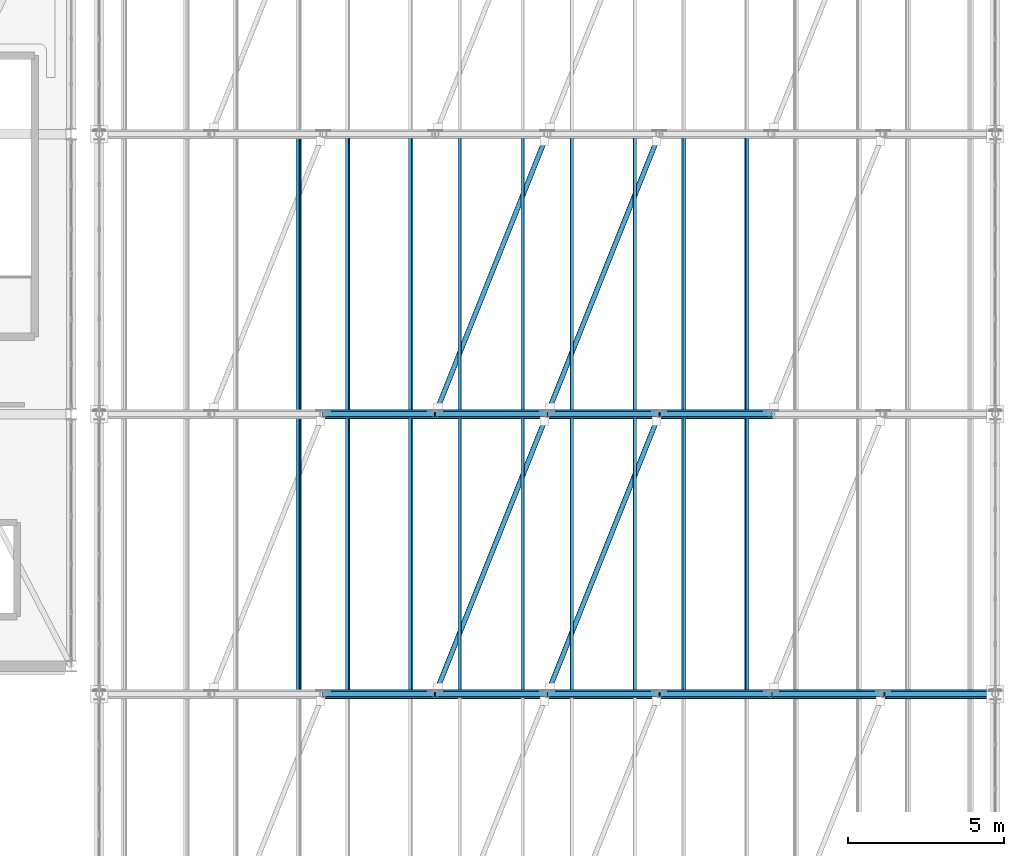
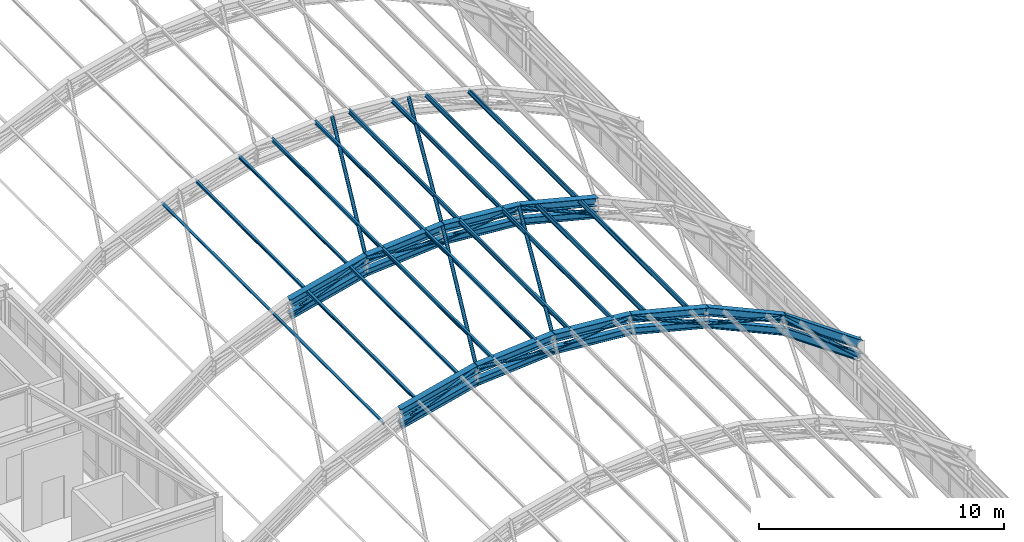
# One storey, part 59 of 121: 42 members, 10 beams.
"""IFC4 building model written with IfcOpenShell, lengths in metres."""

from ifc_helpers import new_model, si_unit, direction, frame, origin, origin_2d, place, context, subcontext, project, spatial, hollow_circle, i_section, extrude, material, material_profile, profile_set, type_object, element, save


model = new_model("IFC4")

# Units and contexts
model_context = context("Model", 3, precision=1e-05, world=origin(), true_north=direction((0.0, 1.0)))
body_context = subcontext(model_context, "Body", "Model", "MODEL_VIEW")
ifc_project = project(units=[si_unit("LENGTHUNIT", "METRE"), si_unit("AREAUNIT", "SQUARE_METRE"), si_unit("VOLUMEUNIT", "CUBIC_METRE"), si_unit("PLANEANGLEUNIT", "RADIAN"), si_unit("MASSUNIT", "GRAM", prefix="KILO")], contexts=[model_context])

# Site, building, storey
site_placement = place(None, origin())
site = spatial("IfcSite", under=ifc_project, at=site_placement, CompositionType="ELEMENT")
building_placement = place(site_placement, origin())
building = spatial("IfcBuilding", under=site, at=building_placement, Name="Canglan Escarpment Cableway Terminal", CompositionType="ELEMENT")
storey_placement = place(building_placement, frame((0.0, 0.0, 24.60009765625)))
storey = spatial("IfcBuildingStorey", under=building, at=storey_placement, Name="L05", CompositionType="ELEMENT", Elevation=24.60009765625)

# Beams
ifc_material = material(Name="Steel Q355B", Category="steel")
ifc_material_profile_1 = material_profile(ifc_material, i_section(OverallWidth=0.300048828125, OverallDepth=0.389892578125, WebThickness=0.010009765625, FlangeThickness=0.01611328125, FilletRadius=0.02197265625, at=origin_2d()), Name="HM 390x300x10x16")
ifc_profile_set_1 = profile_set([ifc_material_profile_1], Name="Steel Q355B")
beam_type = type_object("IfcBeamType", Name="BM-ARCH-TOP-HM390", PredefinedType="BEAM", material=ifc_profile_set_1)
beam_1_placement = place(storey_placement, frame((144.800048828125, 88.0, 7.23828125), z_axis=(0.969179969731, 0.0, 0.246353782743), x_axis=(0.0, 1.0, 0.0)))
element("IfcBeam", 1, at=beam_1_placement, inside=storey, type_object=beam_type, Name="Vault ROOF TRUSS arch top chord AR-TC1", PredefinedType="BEAM", context=body_context, shape_type="SweptSolid", body=[
    extrude(i_section(OverallWidth=0.300048828125, OverallDepth=0.389892578125, WebThickness=0.010009765625, FlangeThickness=0.01611328125, FilletRadius=0.02197265625, at=origin_2d()), origin(), (0.0, 0.0, 1.0), 3.71435546875),
])
for number, where, z_axis, x_axis, name in (
    (2, (148.39990234375, 88.0, 8.1533203125), (0.996622699984, 0.0, 0.082116952426), (0.0, 1.0, 0.0), "Vault ROOF TRUSS arch top chord AR-TC1"),
    (3, (152.0, 88.0, 8.449951171875), (0.996622699984, 0.0, -0.082116952426), (0.0, 1.0, 0.0), "Vault ROOF TRUSS arch top chord AR-TC1"),
):
    element("IfcBeam", number, at=place(storey_placement, frame(where, z_axis=z_axis, x_axis=x_axis)), inside=storey, type_object=beam_type, Name=name, PredefinedType="BEAM", context=body_context, shape_type="SweptSolid", body=[
        extrude(i_section(OverallWidth=0.300048828125, OverallDepth=0.389892578125, WebThickness=0.010009765625, FlangeThickness=0.01611328125, FilletRadius=0.02197265625, at=origin_2d()), origin(), (0.0, 0.0, 1.0), 3.6123046875),
    ])
beam_2_placement = place(storey_placement, frame((155.60009765625, 88.0, 8.1533203125), z_axis=(0.969179969731, 0.0, -0.246353782743), x_axis=(0.0, 1.0, 0.0)))
element("IfcBeam", 4, at=beam_2_placement, inside=storey, type_object=beam_type, Name="Vault ROOF TRUSS arch top chord AR-TC1", PredefinedType="BEAM", context=body_context, shape_type="SweptSolid", body=[
    extrude(i_section(OverallWidth=0.300048828125, OverallDepth=0.389892578125, WebThickness=0.010009765625, FlangeThickness=0.01611328125, FilletRadius=0.02197265625, at=origin_2d()), origin(), (0.0, 0.0, 1.0), 3.71435546875),
])
beam_3_placement = place(storey_placement, frame((159.199951171875, 88.0, 7.23828125), z_axis=(0.911752518833, 0.0, -0.410739996108), x_axis=(0.0, 1.0, 0.0)))
element("IfcBeam", 5, at=beam_3_placement, inside=storey, type_object=beam_type, Name="Vault ROOF TRUSS arch top chord AR-TC1", PredefinedType="BEAM", context=body_context, shape_type="SweptSolid", body=[
    extrude(i_section(OverallWidth=0.300048828125, OverallDepth=0.389892578125, WebThickness=0.010009765625, FlangeThickness=0.01611328125, FilletRadius=0.02197265625, at=origin_2d()), origin(), (0.0, 0.0, 1.0), 3.948486328125),
])
beam_4_placement = place(storey_placement, frame((162.800048828125, 88.0, 5.616455078125), z_axis=(0.817731009495, 0.0, -0.575600552563), x_axis=(0.0, 1.0, 0.0)))
element("IfcBeam", 6, at=beam_4_placement, inside=storey, type_object=beam_type, Name="Vault ROOF TRUSS arch top chord AR-TC1", PredefinedType="BEAM", context=body_context, shape_type="SweptSolid", body=[
    extrude(i_section(OverallWidth=0.300048828125, OverallDepth=0.389892578125, WebThickness=0.010009765625, FlangeThickness=0.01611328125, FilletRadius=0.02197265625, at=origin_2d()), origin(), (0.0, 0.0, 1.0), 4.40234375),
])
beam_5_placement = place(storey_placement, frame((144.800048828125, 97.0, 7.23828125), z_axis=(0.969179969731, 0.0, 0.246353782743), x_axis=(0.0, 1.0, 0.0)))
element("IfcBeam", 7, at=beam_5_placement, inside=storey, type_object=beam_type, Name="Vault ROOF TRUSS arch top chord AR-TC1", PredefinedType="BEAM", context=body_context, shape_type="SweptSolid", body=[
    extrude(i_section(OverallWidth=0.300048828125, OverallDepth=0.389892578125, WebThickness=0.010009765625, FlangeThickness=0.01611328125, FilletRadius=0.02197265625, at=origin_2d()), origin(), (0.0, 0.0, 1.0), 3.71435546875),
])
for number, where, z_axis, x_axis, name in (
    (8, (148.39990234375, 97.0, 8.1533203125), (0.996622699984, 0.0, 0.082116952426), (0.0, 1.0, 0.0), "Vault ROOF TRUSS arch top chord AR-TC1"),
    (9, (152.0, 97.0, 8.449951171875), (0.996622699984, 0.0, -0.082116952426), (0.0, 1.0, 0.0), "Vault ROOF TRUSS arch top chord AR-TC1"),
):
    element("IfcBeam", number, at=place(storey_placement, frame(where, z_axis=z_axis, x_axis=x_axis)), inside=storey, type_object=beam_type, Name=name, PredefinedType="BEAM", context=body_context, shape_type="SweptSolid", body=[
        extrude(i_section(OverallWidth=0.300048828125, OverallDepth=0.389892578125, WebThickness=0.010009765625, FlangeThickness=0.01611328125, FilletRadius=0.02197265625, at=origin_2d()), origin(), (0.0, 0.0, 1.0), 3.6123046875),
    ])
beam_6_placement = place(storey_placement, frame((155.60009765625, 97.0, 8.1533203125), z_axis=(0.969179969731, 0.0, -0.246353782743), x_axis=(0.0, 1.0, 0.0)))
element("IfcBeam", 10, at=beam_6_placement, inside=storey, type_object=beam_type, Name="Vault ROOF TRUSS arch top chord AR-TC1", PredefinedType="BEAM", context=body_context, shape_type="SweptSolid", body=[
    extrude(i_section(OverallWidth=0.300048828125, OverallDepth=0.389892578125, WebThickness=0.010009765625, FlangeThickness=0.01611328125, FilletRadius=0.02197265625, at=origin_2d()), origin(), (0.0, 0.0, 1.0), 3.71435546875),
])

# Members
ifc_material_profile_2 = material_profile(ifc_material, i_section(OverallWidth=0.25, OverallDepth=0.340087890625, WebThickness=0.009033203125, FlangeThickness=0.013916015625, FilletRadius=0.02001953125, at=origin_2d()), Name="HM 340x250x9x14")
ifc_profile_set_2 = profile_set([ifc_material_profile_2], Name="Steel Q355B")
member_type_1 = type_object("IfcMemberType", Name="MB-ARCH-BOT-HM340", PredefinedType="CHORD", material=ifc_profile_set_2)
member_1_placement = place(storey_placement, frame((144.800048828125, 88.0, 6.58837890625), z_axis=(0.969179969731, 0.0, 0.246353782743), x_axis=(0.0, 1.0, 0.0)))
element("IfcMember", 11, at=member_1_placement, inside=storey, type_object=member_type_1, Name="Vault ROOF TRUSS arch bottom chord AR-BC1", PredefinedType="CHORD", context=body_context, shape_type="SweptSolid", body=[
    extrude(i_section(OverallWidth=0.25, OverallDepth=0.340087890625, WebThickness=0.009033203125, FlangeThickness=0.013916015625, FilletRadius=0.02001953125, at=origin_2d()), origin(), (0.0, 0.0, 1.0), 3.71435546875),
])
for number, where, z_axis, x_axis, name in (
    (12, (148.39990234375, 88.0, 7.50341796875), (0.996628228964, 0.0, 0.082049821644), (0.0, 1.0, 0.0), "Vault ROOF TRUSS arch bottom chord AR-BC1"),
    (13, (152.0, 88.0, 7.7998046875), (0.996628228964, 0.0, -0.082049821644), (0.0, 1.0, 0.0), "Vault ROOF TRUSS arch bottom chord AR-BC1"),
):
    element("IfcMember", number, at=place(storey_placement, frame(where, z_axis=z_axis, x_axis=x_axis)), inside=storey, type_object=member_type_1, Name=name, PredefinedType="CHORD", context=body_context, shape_type="SweptSolid", body=[
        extrude(i_section(OverallWidth=0.25, OverallDepth=0.340087890625, WebThickness=0.009033203125, FlangeThickness=0.013916015625, FilletRadius=0.02001953125, at=origin_2d()), origin(), (0.0, 0.0, 1.0), 3.6123046875),
    ])
member_2_placement = place(storey_placement, frame((155.60009765625, 88.0, 7.50341796875), z_axis=(0.969179969731, 0.0, -0.246353782743), x_axis=(0.0, 1.0, 0.0)))
element("IfcMember", 14, at=member_2_placement, inside=storey, type_object=member_type_1, Name="Vault ROOF TRUSS arch bottom chord AR-BC1", PredefinedType="CHORD", context=body_context, shape_type="SweptSolid", body=[
    extrude(i_section(OverallWidth=0.25, OverallDepth=0.340087890625, WebThickness=0.009033203125, FlangeThickness=0.013916015625, FilletRadius=0.02001953125, at=origin_2d()), origin(), (0.0, 0.0, 1.0), 3.71435546875),
])
member_3_placement = place(storey_placement, frame((159.199951171875, 88.0, 6.58837890625), z_axis=(0.911752518833, 0.0, -0.410739996108), x_axis=(0.0, 1.0, 0.0)))
element("IfcMember", 15, at=member_3_placement, inside=storey, type_object=member_type_1, Name="Vault ROOF TRUSS arch bottom chord AR-BC1", PredefinedType="CHORD", context=body_context, shape_type="SweptSolid", body=[
    extrude(i_section(OverallWidth=0.25, OverallDepth=0.340087890625, WebThickness=0.009033203125, FlangeThickness=0.013916015625, FilletRadius=0.02001953125, at=origin_2d()), origin(), (0.0, 0.0, 1.0), 3.948486328125),
])
member_4_placement = place(storey_placement, frame((162.800048828125, 88.0, 4.966552734375), z_axis=(0.81770490607, 0.0, -0.575637634792), x_axis=(0.0, 1.0, 0.0)))
element("IfcMember", 16, at=member_4_placement, inside=storey, type_object=member_type_1, Name="Vault ROOF TRUSS arch bottom chord AR-BC1", PredefinedType="CHORD", context=body_context, shape_type="SweptSolid", body=[
    extrude(i_section(OverallWidth=0.25, OverallDepth=0.340087890625, WebThickness=0.009033203125, FlangeThickness=0.013916015625, FilletRadius=0.02001953125, at=origin_2d()), origin(), (0.0, 0.0, 1.0), 4.40234375),
])
member_5_placement = place(storey_placement, frame((144.800048828125, 97.0, 6.58837890625), z_axis=(0.969179969731, 0.0, 0.246353782743), x_axis=(0.0, 1.0, 0.0)))
element("IfcMember", 17, at=member_5_placement, inside=storey, type_object=member_type_1, Name="Vault ROOF TRUSS arch bottom chord AR-BC1", PredefinedType="CHORD", context=body_context, shape_type="SweptSolid", body=[
    extrude(i_section(OverallWidth=0.25, OverallDepth=0.340087890625, WebThickness=0.009033203125, FlangeThickness=0.013916015625, FilletRadius=0.02001953125, at=origin_2d()), origin(), (0.0, 0.0, 1.0), 3.71435546875),
])
for number, where, z_axis, x_axis, name in (
    (18, (148.39990234375, 97.0, 7.50341796875), (0.996628228964, 0.0, 0.082049821644), (0.0, 1.0, 0.0), "Vault ROOF TRUSS arch bottom chord AR-BC1"),
    (19, (152.0, 97.0, 7.7998046875), (0.996628228964, 0.0, -0.082049821644), (0.0, 1.0, 0.0), "Vault ROOF TRUSS arch bottom chord AR-BC1"),
):
    element("IfcMember", number, at=place(storey_placement, frame(where, z_axis=z_axis, x_axis=x_axis)), inside=storey, type_object=member_type_1, Name=name, PredefinedType="CHORD", context=body_context, shape_type="SweptSolid", body=[
        extrude(i_section(OverallWidth=0.25, OverallDepth=0.340087890625, WebThickness=0.009033203125, FlangeThickness=0.013916015625, FilletRadius=0.02001953125, at=origin_2d()), origin(), (0.0, 0.0, 1.0), 3.6123046875),
    ])
member_6_placement = place(storey_placement, frame((155.60009765625, 97.0, 7.50341796875), z_axis=(0.969179969731, 0.0, -0.246353782743), x_axis=(0.0, 1.0, 0.0)))
element("IfcMember", 20, at=member_6_placement, inside=storey, type_object=member_type_1, Name="Vault ROOF TRUSS arch bottom chord AR-BC1", PredefinedType="CHORD", context=body_context, shape_type="SweptSolid", body=[
    extrude(i_section(OverallWidth=0.25, OverallDepth=0.340087890625, WebThickness=0.009033203125, FlangeThickness=0.013916015625, FilletRadius=0.02001953125, at=origin_2d()), origin(), (0.0, 0.0, 1.0), 3.71435546875),
])
ifc_material_profile_3 = material_profile(ifc_material, hollow_circle(Radius=0.084228515625, WallThickness=0.006103515625, at=origin_2d()), Name="CHS 168.3x6")
ifc_profile_set_3 = profile_set([ifc_material_profile_3], Name="Steel Q355B")
member_type_2 = type_object("IfcMemberType", Name="MB-ARCH-DIAG-CHS168", PredefinedType="BRACE", material=ifc_profile_set_3)
member_7_placement = place(storey_placement, frame((144.800048828125, 88.0, 6.58837890625), z_axis=(0.917089831489, 0.0, 0.398680625286), x_axis=(0.0, 1.0, 0.0)))
element("IfcMember", 21, at=member_7_placement, inside=storey, type_object=member_type_2, Name="Vault ROOF TRUSS web diagonal AR-DG1", PredefinedType="BRACE", context=body_context, shape_type="SweptSolid", body=[
    extrude(hollow_circle(Radius=0.084228515625, WallThickness=0.006103515625, at=origin_2d()), origin(), (0.0, 0.0, 1.0), 3.92529296875),
])
for number, where, z_axis, x_axis, name in (
    (22, (148.39990234375, 88.0, 8.1533203125), (0.995213349609, 0.0, -0.097726090481), (0.0, 1.0, 0.0), "Vault ROOF TRUSS web diagonal AR-DG1"),
    (23, (152.0, 88.0, 7.7998046875), (0.995213349609, 0.0, 0.097726090481), (0.0, 1.0, 0.0), "Vault ROOF TRUSS web diagonal AR-DG1"),
):
    element("IfcMember", number, at=place(storey_placement, frame(where, z_axis=z_axis, x_axis=x_axis)), inside=storey, type_object=member_type_2, Name=name, PredefinedType="BRACE", context=body_context, shape_type="SweptSolid", body=[
        extrude(hollow_circle(Radius=0.084228515625, WallThickness=0.006103515625, at=origin_2d()), origin(), (0.0, 0.0, 1.0), 3.617431640625),
    ])
member_8_placement = place(storey_placement, frame((155.60009765625, 88.0, 8.1533203125), z_axis=(0.917089831489, 0.0, -0.398680625286), x_axis=(0.0, 1.0, 0.0)))
element("IfcMember", 24, at=member_8_placement, inside=storey, type_object=member_type_2, Name="Vault ROOF TRUSS web diagonal AR-DG1", PredefinedType="BRACE", context=body_context, shape_type="SweptSolid", body=[
    extrude(hollow_circle(Radius=0.084228515625, WallThickness=0.006103515625, at=origin_2d()), origin(), (0.0, 0.0, 1.0), 3.92529296875),
])
member_9_placement = place(storey_placement, frame((159.199951171875, 88.0, 6.58837890625), z_axis=(0.96543600217, 0.0, -0.260640222748), x_axis=(0.0, 1.0, 0.0)))
element("IfcMember", 25, at=member_9_placement, inside=storey, type_object=member_type_2, Name="Vault ROOF TRUSS web diagonal AR-DG1", PredefinedType="BRACE", context=body_context, shape_type="SweptSolid", body=[
    extrude(hollow_circle(Radius=0.084228515625, WallThickness=0.006103515625, at=origin_2d()), origin(), (0.0, 0.0, 1.0), 3.72900390625),
])
member_10_placement = place(storey_placement, frame((162.800048828125, 88.0, 5.616455078125), z_axis=(0.749038254518, 0.0, -0.662526749096), x_axis=(0.0, 1.0, 0.0)))
element("IfcMember", 26, at=member_10_placement, inside=storey, type_object=member_type_2, Name="Vault ROOF TRUSS web diagonal AR-DG1", PredefinedType="BRACE", context=body_context, shape_type="SweptSolid", body=[
    extrude(hollow_circle(Radius=0.084228515625, WallThickness=0.006103515625, at=origin_2d()), origin(), (0.0, 0.0, 1.0), 4.805908203125),
])
member_11_placement = place(storey_placement, frame((144.800048828125, 97.0, 6.58837890625), z_axis=(0.917089831489, 0.0, 0.398680625286), x_axis=(0.0, 1.0, 0.0)))
element("IfcMember", 27, at=member_11_placement, inside=storey, type_object=member_type_2, Name="Vault ROOF TRUSS web diagonal AR-DG1", PredefinedType="BRACE", context=body_context, shape_type="SweptSolid", body=[
    extrude(hollow_circle(Radius=0.084228515625, WallThickness=0.006103515625, at=origin_2d()), origin(), (0.0, 0.0, 1.0), 3.92529296875),
])
for number, where, z_axis, x_axis, name in (
    (28, (148.39990234375, 97.0, 8.1533203125), (0.995213349609, 0.0, -0.097726090481), (0.0, 1.0, 0.0), "Vault ROOF TRUSS web diagonal AR-DG1"),
    (29, (152.0, 97.0, 7.7998046875), (0.995213349609, 0.0, 0.097726090481), (0.0, 1.0, 0.0), "Vault ROOF TRUSS web diagonal AR-DG1"),
):
    element("IfcMember", number, at=place(storey_placement, frame(where, z_axis=z_axis, x_axis=x_axis)), inside=storey, type_object=member_type_2, Name=name, PredefinedType="BRACE", context=body_context, shape_type="SweptSolid", body=[
        extrude(hollow_circle(Radius=0.084228515625, WallThickness=0.006103515625, at=origin_2d()), origin(), (0.0, 0.0, 1.0), 3.617431640625),
    ])
member_12_placement = place(storey_placement, frame((155.60009765625, 97.0, 8.1533203125), z_axis=(0.917089831489, 0.0, -0.398680625286), x_axis=(0.0, 1.0, 0.0)))
element("IfcMember", 30, at=member_12_placement, inside=storey, type_object=member_type_2, Name="Vault ROOF TRUSS web diagonal AR-DG1", PredefinedType="BRACE", context=body_context, shape_type="SweptSolid", body=[
    extrude(hollow_circle(Radius=0.084228515625, WallThickness=0.006103515625, at=origin_2d()), origin(), (0.0, 0.0, 1.0), 3.92529296875),
])
ifc_material_profile_4 = material_profile(ifc_material, hollow_circle(Radius=0.084228515625, WallThickness=0.006103515625, at=origin_2d()), Name="CHS 168.3x6")
ifc_profile_set_4 = profile_set([ifc_material_profile_4], Name="Steel Q355B")
member_type_3 = type_object("IfcMemberType", Name="MB-ROOF-BR-CHS168", PredefinedType="BRACE", material=ifc_profile_set_4)
for number, where, z_axis, x_axis, name in (
    (31, (148.39990234375, 88.0, 8.1533203125), (0.371225584171, 0.928038785765, 0.030587215839), (-0.928473216852, 0.37139936132, 0.0), "Vault roof plane wind brace BR-03"),
    (32, (152.0, 88.0, 8.449951171875), (0.371225584171, 0.928038785765, -0.030587215839), (-0.928473216852, 0.37139936132, 0.0), "Vault roof plane wind brace BR-03"),
    (33, (148.39990234375, 97.0, 8.1533203125), (0.371225584171, 0.928038785765, 0.030587215839), (-0.928473216852, 0.37139936132, 0.0), "Vault roof plane wind brace BR-03"),
    (34, (152.0, 97.0, 8.449951171875), (0.371225584171, 0.928038785765, -0.030587215839), (-0.928473216852, 0.37139936132, 0.0), "Vault roof plane wind brace BR-03"),
):
    element("IfcMember", number, at=place(storey_placement, frame(where, z_axis=z_axis, x_axis=x_axis)), inside=storey, type_object=member_type_3, Name=name, PredefinedType="BRACE", context=body_context, shape_type="SweptSolid", body=[
        extrude(hollow_circle(Radius=0.084228515625, WallThickness=0.006103515625, at=origin_2d()), origin(), (0.0, 0.0, 1.0), 9.69775390625),
    ])
ifc_material_profile_5 = material_profile(ifc_material, i_section(OverallWidth=0.10009765625, OverallDepth=0.199951171875, WebThickness=0.005615234375, FlangeThickness=0.008056640625, FilletRadius=0.010986328125, at=origin_2d()), Name="HN 200x100x5.5x8")
ifc_profile_set_5 = profile_set([ifc_material_profile_5], Name="Steel Q355B")
member_type_4 = type_object("IfcMemberType", Name="MB-VAULT-PUR-HN200", PredefinedType="PURLIN", material=ifc_profile_set_5)
for number, where, z_axis, x_axis, name in (
    (35, (144.008056640625, 88.0, 6.968017578125), (0.0, 1.0, 0.0), (-0.911740537138, 0.0, -0.410766591799), "Barrel-vault roof purlin PR-01"),
    (36, (145.592041015625, 88.0, 7.533203125), (0.0, 1.0, 0.0), (-0.969183633805, 0.0, -0.246339367468), "Barrel-vault roof purlin PR-01"),
    (37, (147.60791015625, 88.0, 8.045654296875), (0.0, 1.0, 0.0), (-0.969183633805, 0.0, -0.246339367468), "Barrel-vault roof purlin PR-01"),
    (38, (149.19189453125, 88.0, 8.315185546875), (0.0, 1.0, 0.0), (-0.996625936329, 0.0, -0.082077664662), "Barrel-vault roof purlin PR-01"),
    (39, (151.2080078125, 88.0, 8.481201171875), (0.0, 1.0, 0.0), (-0.996625936329, 0.0, -0.082077664662), "Barrel-vault roof purlin PR-01"),
    (40, (152.7919921875, 88.0, 8.481201171875), (0.0, 1.0, 0.0), (-0.996625936329, 0.0, 0.082077664662), "Barrel-vault roof purlin PR-01"),
    (41, (154.80810546875, 88.0, 8.315185546875), (0.0, 1.0, 0.0), (-0.996625936329, 0.0, 0.082077664662), "Barrel-vault roof purlin PR-01"),
    (42, (156.39208984375, 88.0, 8.045654296875), (0.0, 1.0, 0.0), (-0.969183633805, 0.0, 0.246339367468), "Barrel-vault roof purlin PR-01"),
    (43, (158.407958984375, 88.0, 7.533203125), (0.0, 1.0, 0.0), (-0.969183633805, 0.0, 0.246339367468), "Barrel-vault roof purlin PR-01"),
    (44, (144.008056640625, 97.0, 6.968017578125), (0.0, 1.0, 0.0), (-0.911740537138, 0.0, -0.410766591799), "Barrel-vault roof purlin PR-01"),
    (45, (145.592041015625, 97.0, 7.533203125), (0.0, 1.0, 0.0), (-0.969183633805, 0.0, -0.246339367468), "Barrel-vault roof purlin PR-01"),
    (46, (147.60791015625, 97.0, 8.045654296875), (0.0, 1.0, 0.0), (-0.969183633805, 0.0, -0.246339367468), "Barrel-vault roof purlin PR-01"),
    (47, (149.19189453125, 97.0, 8.315185546875), (0.0, 1.0, 0.0), (-0.996625936329, 0.0, -0.082077664662), "Barrel-vault roof purlin PR-01"),
    (48, (151.2080078125, 97.0, 8.481201171875), (0.0, 1.0, 0.0), (-0.996625936329, 0.0, -0.082077664662), "Barrel-vault roof purlin PR-01"),
    (49, (152.7919921875, 97.0, 8.481201171875), (0.0, 1.0, 0.0), (-0.996625936329, 0.0, 0.082077664662), "Barrel-vault roof purlin PR-01"),
    (50, (154.80810546875, 97.0, 8.315185546875), (0.0, 1.0, 0.0), (-0.996625936329, 0.0, 0.082077664662), "Barrel-vault roof purlin PR-01"),
    (51, (156.39208984375, 97.0, 8.045654296875), (0.0, 1.0, 0.0), (-0.969183633805, 0.0, 0.246339367468), "Barrel-vault roof purlin PR-01"),
    (52, (158.407958984375, 97.0, 7.533203125), (0.0, 1.0, 0.0), (-0.969183633805, 0.0, 0.246339367468), "Barrel-vault roof purlin PR-01"),
):
    element("IfcMember", number, at=place(storey_placement, frame(where, z_axis=z_axis, x_axis=x_axis)), inside=storey, type_object=member_type_4, Name=name, PredefinedType="PURLIN", context=body_context, shape_type="SweptSolid", body=[
        extrude(i_section(OverallWidth=0.10009765625, OverallDepth=0.199951171875, WebThickness=0.005615234375, FlangeThickness=0.008056640625, FilletRadius=0.010986328125, at=origin_2d()), origin(), (0.0, 0.0, 1.0), 9.0),
    ])

save(model, "model.ifc")
